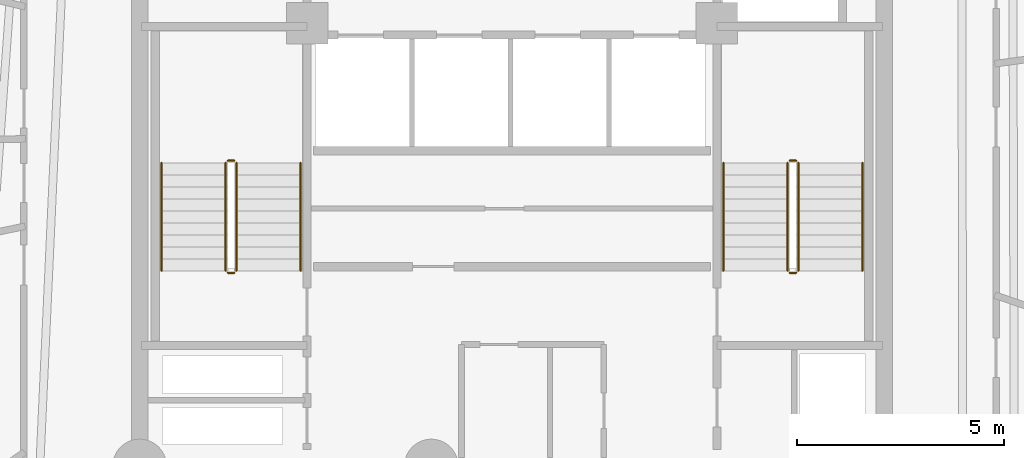
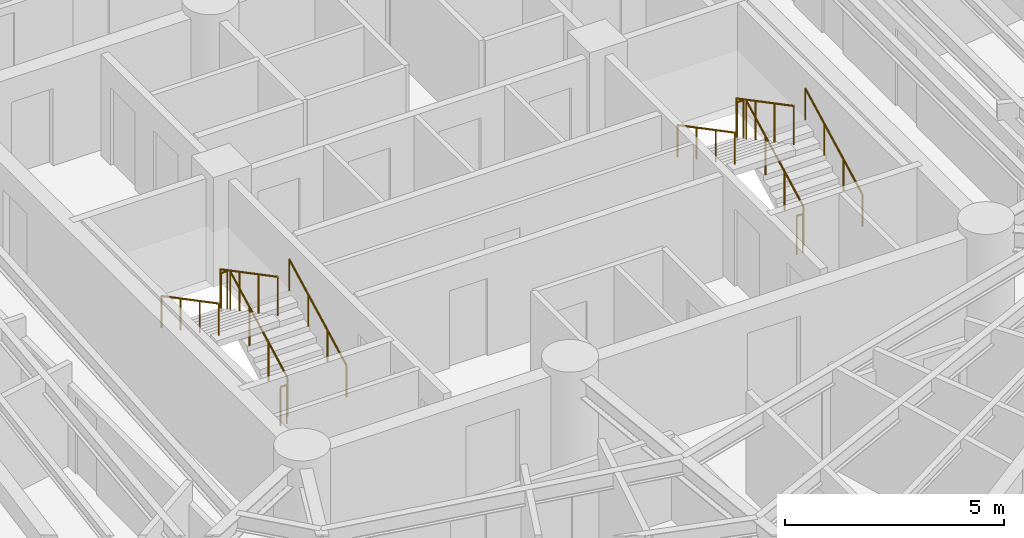
# One storey, part 8 of 8: 12 railings.
"""IFC4 building model written with IfcOpenShell, lengths in metres."""

from ifc_helpers import new_model, si_unit, direction, frame, origin, origin_2d, place, context, subcontext, project, spatial, circle, extrude, material, layer, layer_set, type_object, element, save


model = new_model("IFC4")

# Units and contexts
model_context = context("Model", 3, precision=1e-05, world=origin(), true_north=direction((0.0, 1.0)))
body_context = subcontext(model_context, "Body", "Model", "MODEL_VIEW")
ifc_project = project(units=[si_unit("LENGTHUNIT", "METRE"), si_unit("AREAUNIT", "SQUARE_METRE"), si_unit("VOLUMEUNIT", "CUBIC_METRE"), si_unit("PLANEANGLEUNIT", "RADIAN"), si_unit("MASSUNIT", "GRAM", prefix="KILO")], contexts=[model_context])

# Site, building, storey
site_placement = place(None, origin())
site = spatial("IfcSite", under=ifc_project, at=site_placement, CompositionType="ELEMENT")
building_placement = place(site_placement, origin())
building = spatial("IfcBuilding", under=site, at=building_placement, Name="Karkom Vertical University and Central Library", CompositionType="ELEMENT")
storey_placement = place(building_placement, frame((0.0, 0.0, 180.949951171875)))
storey = spatial("IfcBuildingStorey", under=building, at=storey_placement, Name="L52", CompositionType="ELEMENT", Elevation=180.949951171875)

# Railings
ifc_material_1 = material(Name="Painted galvanised steel balustrade", Category="steel")
ifc_layer_1 = layer(ifc_material_1, 0.06005859375)
ifc_layer_set_1 = layer_set([ifc_layer_1], Name="Painted galvanised steel balustrade")
railing_type_1 = type_object("IfcRailingType", Name="INT-RL-GUARD1100", PredefinedType="GUARDRAIL", material=ifc_layer_set_1)
railing_1_placement = place(storey_placement, frame((21.840087890625, 23.02001953125, 0.152587890625)))
element("IfcRailing", 1, at=railing_1_placement, inside=storey, type_object=railing_type_1, Name="Level 52 ST-1 stair guard 1", PredefinedType="GUARDRAIL", context=body_context, shape_type="SweptSolid", body=[
    extrude(circle(Radius=0.02392578125, at=origin_2d()), frame((0.0, 0.0, 1.076171875), z_axis=(0.0, 0.885065446896, 0.46546659892), x_axis=(-1.0, 0.0, 0.0)), (0.0, 0.0, 1.0), 2.94873046875),
    extrude(circle(Radius=0.02099609375, at=origin_2d()), origin(), (0.0, 0.0, 1.0), 1.052001953125),
    extrude(circle(Radius=0.02099609375, at=origin_2d()), frame((0.0, 0.869873046875, 0.45751953125)), (0.0, 0.0, 1.0), 1.052001953125),
    extrude(circle(Radius=0.02099609375, at=origin_2d()), frame((0.0, 1.739990234375, 0.9150390625)), (0.0, 0.0, 1.0), 1.052001953125),
    extrude(circle(Radius=0.02099609375, at=origin_2d()), frame((0.0, 2.60986328125, 1.37255859375)), (0.0, 0.0, 1.0), 1.052001953125),
])
railing_2_placement = place(storey_placement, frame((21.7900390625, 25.679931640625, 1.525146484375)))
element("IfcRailing", 2, at=railing_2_placement, inside=storey, type_object=railing_type_1, Name="Level 52 ST-1 stair guard 2", PredefinedType="GUARDRAIL", context=body_context, shape_type="SweptSolid", body=[
    extrude(circle(Radius=0.02392578125, at=origin_2d()), frame((0.0, 0.0, 1.076171875), z_axis=(-1.0, 0.0, 0.0), x_axis=(0.0, -1.0, 0.0)), (0.0, 0.0, 1.0), 0.16015625),
    extrude(circle(Radius=0.02099609375, at=origin_2d()), origin(), (0.0, 0.0, 1.0), 1.052001953125),
    extrude(circle(Radius=0.02099609375, at=origin_2d()), frame((-0.16015625, 0.0, 0.0)), (0.0, 0.0, 1.0), 1.052001953125),
])
railing_3_placement = place(storey_placement, frame((21.580078125, 25.6298828125, 1.677490234375)))
element("IfcRailing", 3, at=railing_3_placement, inside=storey, type_object=railing_type_1, Name="Level 52 ST-1 stair guard 3", PredefinedType="GUARDRAIL", context=body_context, shape_type="SweptSolid", body=[
    extrude(circle(Radius=0.02392578125, at=origin_2d()), frame((0.0, 0.0, 1.076171875), z_axis=(0.0, -0.885065446896, 0.46546659892), x_axis=(1.0, 0.0, 0.0)), (0.0, 0.0, 1.0), 2.94873046875),
    extrude(circle(Radius=0.02099609375, at=origin_2d()), origin(), (0.0, 0.0, 1.0), 1.052001953125),
    extrude(circle(Radius=0.02099609375, at=origin_2d()), frame((0.0, -0.869873046875, 0.45751953125)), (0.0, 0.0, 1.0), 1.052001953125),
    extrude(circle(Radius=0.02099609375, at=origin_2d()), frame((0.0, -1.739990234375, 0.9150390625)), (0.0, 0.0, 1.0), 1.052001953125),
    extrude(circle(Radius=0.02099609375, at=origin_2d()), frame((0.0, -2.60986328125, 1.37255859375)), (0.0, 0.0, 1.0), 1.052001953125),
])
railing_4_placement = place(storey_placement, frame((21.7900390625, 22.969970703125, 0.0)))
element("IfcRailing", 4, at=railing_4_placement, inside=storey, type_object=railing_type_1, Name="Level 52 ST-1 stair guard 4", PredefinedType="GUARDRAIL", context=body_context, shape_type="SweptSolid", body=[
    extrude(circle(Radius=0.02392578125, at=origin_2d()), frame((0.0, 0.0, 1.076171875), z_axis=(-1.0, 0.0, 0.0), x_axis=(0.0, -1.0, 0.0)), (0.0, 0.0, 1.0), 0.16015625),
    extrude(circle(Radius=0.02099609375, at=origin_2d()), origin(), (0.0, 0.0, 1.0), 1.052001953125),
    extrude(circle(Radius=0.02099609375, at=origin_2d()), frame((-0.16015625, 0.0, 0.0)), (0.0, 0.0, 1.0), 1.052001953125),
])
railing_5_placement = place(storey_placement, frame((35.419921875, 23.02001953125, 0.152587890625)))
element("IfcRailing", 5, at=railing_5_placement, inside=storey, type_object=railing_type_1, Name="Level 52 ST-2 stair guard 1", PredefinedType="GUARDRAIL", context=body_context, shape_type="SweptSolid", body=[
    extrude(circle(Radius=0.02392578125, at=origin_2d()), frame((0.0, 0.0, 1.076171875), z_axis=(0.0, 0.885065446896, 0.46546659892), x_axis=(-1.0, 0.0, 0.0)), (0.0, 0.0, 1.0), 2.94873046875),
    extrude(circle(Radius=0.02099609375, at=origin_2d()), origin(), (0.0, 0.0, 1.0), 1.052001953125),
    extrude(circle(Radius=0.02099609375, at=origin_2d()), frame((0.0, 0.869873046875, 0.45751953125)), (0.0, 0.0, 1.0), 1.052001953125),
    extrude(circle(Radius=0.02099609375, at=origin_2d()), frame((0.0, 1.739990234375, 0.9150390625)), (0.0, 0.0, 1.0), 1.052001953125),
    extrude(circle(Radius=0.02099609375, at=origin_2d()), frame((0.0, 2.60986328125, 1.37255859375)), (0.0, 0.0, 1.0), 1.052001953125),
])
railing_6_placement = place(storey_placement, frame((35.3701171875, 25.679931640625, 1.525146484375)))
element("IfcRailing", 6, at=railing_6_placement, inside=storey, type_object=railing_type_1, Name="Level 52 ST-2 stair guard 2", PredefinedType="GUARDRAIL", context=body_context, shape_type="SweptSolid", body=[
    extrude(circle(Radius=0.02392578125, at=origin_2d()), frame((0.0, 0.0, 1.076171875), z_axis=(-1.0, 0.0, 0.0), x_axis=(0.0, -1.0, 0.0)), (0.0, 0.0, 1.0), 0.16015625),
    extrude(circle(Radius=0.02099609375, at=origin_2d()), origin(), (0.0, 0.0, 1.0), 1.052001953125),
    extrude(circle(Radius=0.02099609375, at=origin_2d()), frame((-0.16015625, 0.0, 0.0)), (0.0, 0.0, 1.0), 1.052001953125),
])
railing_7_placement = place(storey_placement, frame((35.159912109375, 25.6298828125, 1.677490234375)))
element("IfcRailing", 7, at=railing_7_placement, inside=storey, type_object=railing_type_1, Name="Level 52 ST-2 stair guard 3", PredefinedType="GUARDRAIL", context=body_context, shape_type="SweptSolid", body=[
    extrude(circle(Radius=0.02392578125, at=origin_2d()), frame((0.0, 0.0, 1.076171875), z_axis=(0.0, -0.885065446896, 0.46546659892), x_axis=(1.0, 0.0, 0.0)), (0.0, 0.0, 1.0), 2.94873046875),
    extrude(circle(Radius=0.02099609375, at=origin_2d()), origin(), (0.0, 0.0, 1.0), 1.052001953125),
    extrude(circle(Radius=0.02099609375, at=origin_2d()), frame((0.0, -0.869873046875, 0.45751953125)), (0.0, 0.0, 1.0), 1.052001953125),
    extrude(circle(Radius=0.02099609375, at=origin_2d()), frame((0.0, -1.739990234375, 0.9150390625)), (0.0, 0.0, 1.0), 1.052001953125),
    extrude(circle(Radius=0.02099609375, at=origin_2d()), frame((0.0, -2.60986328125, 1.37255859375)), (0.0, 0.0, 1.0), 1.052001953125),
])
railing_8_placement = place(storey_placement, frame((35.3701171875, 22.969970703125, 0.0)))
element("IfcRailing", 8, at=railing_8_placement, inside=storey, type_object=railing_type_1, Name="Level 52 ST-2 stair guard 4", PredefinedType="GUARDRAIL", context=body_context, shape_type="SweptSolid", body=[
    extrude(circle(Radius=0.02392578125, at=origin_2d()), frame((0.0, 0.0, 1.076171875), z_axis=(-1.0, 0.0, 0.0), x_axis=(0.0, -1.0, 0.0)), (0.0, 0.0, 1.0), 0.16015625),
    extrude(circle(Radius=0.02099609375, at=origin_2d()), origin(), (0.0, 0.0, 1.0), 1.052001953125),
    extrude(circle(Radius=0.02099609375, at=origin_2d()), frame((-0.16015625, 0.0, 0.0)), (0.0, 0.0, 1.0), 1.052001953125),
])
ifc_material_2 = material(Name="Brushed stainless-steel tubular handrail", Category="steel")
ifc_layer_2 = layer(ifc_material_2, 0.048095703125)
ifc_layer_set_2 = layer_set([ifc_layer_2], Name="Brushed stainless-steel tubular handrail")
railing_type_2 = type_object("IfcRailingType", Name="INT-RL-HAND920", PredefinedType="HANDRAIL", material=ifc_layer_set_2)
railing_9_placement = place(storey_placement, frame((23.389892578125, 23.02001953125, 0.152587890625)))
element("IfcRailing", 9, at=railing_9_placement, inside=storey, type_object=railing_type_2, Name="Level 52 ST-1 stair handrail 1", PredefinedType="HANDRAIL", context=body_context, shape_type="SweptSolid", body=[
    extrude(circle(Radius=0.02392578125, at=origin_2d()), frame((0.0, 0.0, 0.8759765625), z_axis=(0.0, 0.885065446896, 0.46546659892), x_axis=(-1.0, 0.0, 0.0)), (0.0, 0.0, 1.0), 2.94873046875),
    extrude(circle(Radius=0.02099609375, at=origin_2d()), origin(), (0.0, 0.0, 1.0), 0.851806640625),
    extrude(circle(Radius=0.02099609375, at=origin_2d()), frame((0.0, 0.869873046875, 0.45751953125)), (0.0, 0.0, 1.0), 0.851806640625),
    extrude(circle(Radius=0.02099609375, at=origin_2d()), frame((0.0, 1.739990234375, 0.9150390625)), (0.0, 0.0, 1.0), 0.851806640625),
    extrude(circle(Radius=0.02099609375, at=origin_2d()), frame((0.0, 2.60986328125, 1.37255859375)), (0.0, 0.0, 1.0), 0.851806640625),
])
railing_10_placement = place(storey_placement, frame((20.030029296875, 25.6298828125, 1.677490234375)))
element("IfcRailing", 10, at=railing_10_placement, inside=storey, type_object=railing_type_2, Name="Level 52 ST-1 stair handrail 2", PredefinedType="HANDRAIL", context=body_context, shape_type="SweptSolid", body=[
    extrude(circle(Radius=0.02392578125, at=origin_2d()), frame((0.0, 0.0, 0.8759765625), z_axis=(0.0, -0.885065446896, 0.46546659892), x_axis=(1.0, 0.0, 0.0)), (0.0, 0.0, 1.0), 2.94873046875),
    extrude(circle(Radius=0.02099609375, at=origin_2d()), origin(), (0.0, 0.0, 1.0), 0.851806640625),
    extrude(circle(Radius=0.02099609375, at=origin_2d()), frame((0.0, -0.869873046875, 0.45751953125)), (0.0, 0.0, 1.0), 0.851806640625),
    extrude(circle(Radius=0.02099609375, at=origin_2d()), frame((0.0, -1.739990234375, 0.9150390625)), (0.0, 0.0, 1.0), 0.851806640625),
    extrude(circle(Radius=0.02099609375, at=origin_2d()), frame((0.0, -2.60986328125, 1.37255859375)), (0.0, 0.0, 1.0), 0.851806640625),
])
railing_11_placement = place(storey_placement, frame((36.969970703125, 23.02001953125, 0.152587890625)))
element("IfcRailing", 11, at=railing_11_placement, inside=storey, type_object=railing_type_2, Name="Level 52 ST-2 stair handrail 1", PredefinedType="HANDRAIL", context=body_context, shape_type="SweptSolid", body=[
    extrude(circle(Radius=0.02392578125, at=origin_2d()), frame((0.0, 0.0, 0.8759765625), z_axis=(0.0, 0.885065446896, 0.46546659892), x_axis=(-1.0, 0.0, 0.0)), (0.0, 0.0, 1.0), 2.94873046875),
    extrude(circle(Radius=0.02099609375, at=origin_2d()), origin(), (0.0, 0.0, 1.0), 0.851806640625),
    extrude(circle(Radius=0.02099609375, at=origin_2d()), frame((0.0, 0.869873046875, 0.45751953125)), (0.0, 0.0, 1.0), 0.851806640625),
    extrude(circle(Radius=0.02099609375, at=origin_2d()), frame((0.0, 1.739990234375, 0.9150390625)), (0.0, 0.0, 1.0), 0.851806640625),
    extrude(circle(Radius=0.02099609375, at=origin_2d()), frame((0.0, 2.60986328125, 1.37255859375)), (0.0, 0.0, 1.0), 0.851806640625),
])
railing_12_placement = place(storey_placement, frame((33.610107421875, 25.6298828125, 1.677490234375)))
element("IfcRailing", 12, at=railing_12_placement, inside=storey, type_object=railing_type_2, Name="Level 52 ST-2 stair handrail 2", PredefinedType="HANDRAIL", context=body_context, shape_type="SweptSolid", body=[
    extrude(circle(Radius=0.02392578125, at=origin_2d()), frame((0.0, 0.0, 0.8759765625), z_axis=(0.0, -0.885065446896, 0.46546659892), x_axis=(1.0, 0.0, 0.0)), (0.0, 0.0, 1.0), 2.94873046875),
    extrude(circle(Radius=0.02099609375, at=origin_2d()), origin(), (0.0, 0.0, 1.0), 0.851806640625),
    extrude(circle(Radius=0.02099609375, at=origin_2d()), frame((0.0, -0.869873046875, 0.45751953125)), (0.0, 0.0, 1.0), 0.851806640625),
    extrude(circle(Radius=0.02099609375, at=origin_2d()), frame((0.0, -1.739990234375, 0.9150390625)), (0.0, 0.0, 1.0), 0.851806640625),
    extrude(circle(Radius=0.02099609375, at=origin_2d()), frame((0.0, -2.60986328125, 1.37255859375)), (0.0, 0.0, 1.0), 0.851806640625),
])

save(model, "model.ifc")
